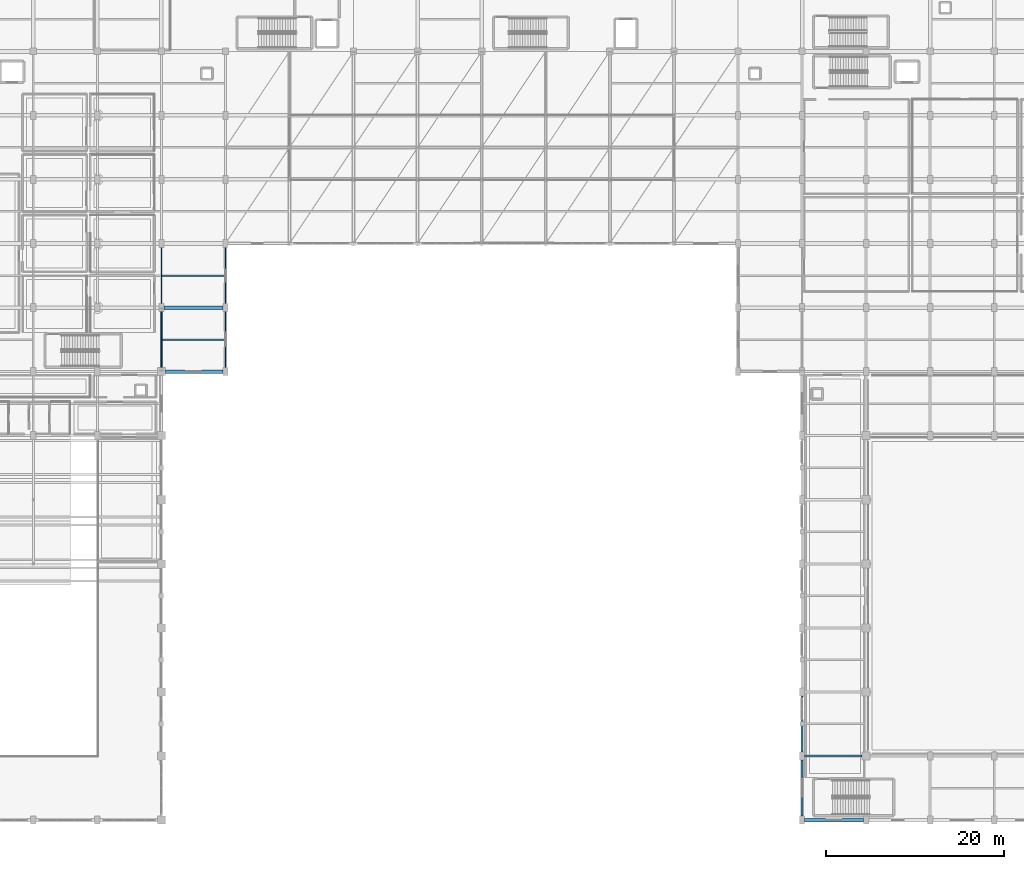
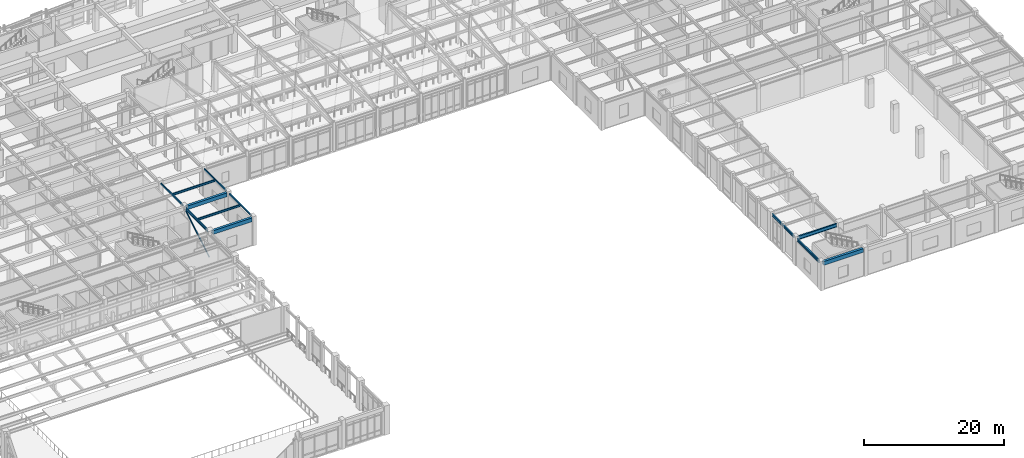
# One storey, part 20 of 117: 12 beams, 1 member.
"""IFC4 building model written with IfcOpenShell, lengths in metres."""

from ifc_helpers import new_model, si_unit, direction, frame, origin, origin_2d, place, context, subcontext, project, spatial, rectangle, hollow_rectangle, i_section, extrude, material, material_profile, profile_set, type_object, element, save


model = new_model("IFC4")

# Units and contexts
model_context = context("Model", 3, precision=1e-05, world=origin(), true_north=direction((0.0, 1.0)))
body_context = subcontext(model_context, "Body", "Model", "MODEL_VIEW")
ifc_project = project(units=[si_unit("LENGTHUNIT", "METRE"), si_unit("AREAUNIT", "SQUARE_METRE"), si_unit("VOLUMEUNIT", "CUBIC_METRE"), si_unit("PLANEANGLEUNIT", "RADIAN"), si_unit("MASSUNIT", "GRAM", prefix="KILO")], contexts=[model_context])

# Site, building, storey
site_placement = place(None, origin())
site = spatial("IfcSite", under=ifc_project, at=site_placement, CompositionType="ELEMENT")
building_placement = place(site_placement, origin())
building = spatial("IfcBuilding", under=site, at=building_placement, Name="Carrowvane Square Congress Hotel", CompositionType="ELEMENT")
storey_placement = place(building_placement, frame((0.0, 0.0, 5.39990234375)))
storey = spatial("IfcBuildingStorey", under=building, at=storey_placement, Name="L01", CompositionType="ELEMENT", Elevation=5.39990234375)

# Beams
ifc_material_1 = material(Name="Concrete C35/45", Category="concrete")
ifc_material_profile_1 = material_profile(ifc_material_1, rectangle(XDim=0.39990234375, YDim=0.64990234375, at=origin_2d()), Name="RC 400x650")
ifc_profile_set_1 = profile_set([ifc_material_profile_1], Name="Concrete C35/45")
beam_type_1 = type_object("IfcBeamType", Name="BM-RC-400x650", PredefinedType="BEAM", material=ifc_profile_set_1)
beam_1_placement = place(storey_placement, frame((62.300048828125, 63.0, 4.455078125), z_axis=(1.0, 0.0, 0.0), x_axis=(0.0, 1.0, 0.0)))
element("IfcBeam", 1, at=beam_1_placement, inside=storey, type_object=beam_type_1, Name="L02 girder J/8-9", PredefinedType="BEAM", context=body_context, shape_type="SweptSolid", body=[
    extrude(rectangle(XDim=0.39990234375, YDim=0.64990234375, at=origin_2d()), origin(), (0.0, 0.0, 1.0), 6.599853515625),
])
ifc_material_2 = material(Name="Steel S355", Category="steel")
ifc_material_profile_2 = material_profile(ifc_material_2, hollow_rectangle(XDim=0.14990234375, YDim=0.25, WallThickness=0.012451171875, at=origin_2d()), Name="RHS 250x150x12.5")
ifc_profile_set_2 = profile_set([ifc_material_profile_2], Name="Steel S355")
beam_type_2 = type_object("IfcBeamType", Name="BM-ST-RHS250", PredefinedType="SPANDREL", material=ifc_profile_set_2)
for number, where, z_axis, x_axis, name in (
    (2, (62.0, 63.449951171875, 4.655029296875), (0.0, 1.0, 0.0), (-1.0, 0.0, 0.0), "L02 girder 8/J-K"),
    (3, (69.199951171875, 56.25, 4.655029296875), (0.0, 1.0, 0.0), (-1.0, 0.0, 0.0), "L02 girder 9/H-J"),
    (4, (69.199951171875, 63.449951171875, 4.655029296875), (0.0, 1.0, 0.0), (-1.0, 0.0, 0.0), "L02 girder 9/J-K"),
):
    element("IfcBeam", number, at=place(storey_placement, frame(where, z_axis=z_axis, x_axis=x_axis)), inside=storey, type_object=beam_type_2, Name=name, PredefinedType="SPANDREL", context=body_context, shape_type="SweptSolid", body=[
        extrude(hollow_rectangle(XDim=0.14990234375, YDim=0.25, WallThickness=0.012451171875, at=origin_2d()), origin(), (0.0, 0.0, 1.0), 6.300048828125),
    ])
ifc_material_3 = material(Name="Steel S355", Category="steel")
ifc_material_profile_3 = material_profile(ifc_material_3, i_section(OverallWidth=0.172119140625, OverallDepth=0.35791015625, WebThickness=0.008056640625, FlangeThickness=0.012939453125, FilletRadius=0.01025390625, at=origin_2d()), Name="UKB 356x171x57")
ifc_profile_set_3 = profile_set([ifc_material_profile_3], Name="Steel S355")
beam_type_3 = type_object("IfcBeamType", Name="BM-ST-UKB356", PredefinedType="JOIST", material=ifc_profile_set_3)
beam_2_placement = place(storey_placement, frame((62.095703125, 59.39990234375, 4.60107421875), z_axis=(1.0, 0.0, 0.0), x_axis=(0.0, 1.0, 0.0)))
element("IfcBeam", 5, at=beam_2_placement, inside=storey, type_object=beam_type_3, Name="L02 secondary joist 8-9", PredefinedType="JOIST", context=body_context, shape_type="SweptSolid", body=[
    extrude(i_section(OverallWidth=0.172119140625, OverallDepth=0.35791015625, WebThickness=0.008056640625, FlangeThickness=0.012939453125, FilletRadius=0.01025390625, at=origin_2d()), origin(), (0.0, 0.0, 1.0), 7.029296875),
])
beam_3_placement = place(storey_placement, frame((62.074951171875, 66.60009765625, 4.60107421875), z_axis=(1.0, 0.0, 0.0), x_axis=(0.0, 1.0, 0.0)))
element("IfcBeam", 6, at=beam_3_placement, inside=storey, type_object=beam_type_3, Name="L02 secondary joist 8-9", PredefinedType="JOIST", context=body_context, shape_type="SweptSolid", body=[
    extrude(i_section(OverallWidth=0.172119140625, OverallDepth=0.35791015625, WebThickness=0.008056640625, FlangeThickness=0.012939453125, FilletRadius=0.01025390625, at=origin_2d()), origin(), (0.0, 0.0, 1.0), 7.050048828125),
])
ifc_material_4 = material(Name="Steel S355", Category="steel")
ifc_material_profile_4 = material_profile(ifc_material_4, i_section(OverallWidth=0.19140625, OverallDepth=0.4599609375, WebThickness=0.010009765625, FlangeThickness=0.01611328125, FilletRadius=0.01025390625, at=origin_2d()), Name="UKB 457x191x82")
ifc_profile_set_4 = profile_set([ifc_material_profile_4], Name="Steel S355")
beam_type_4 = type_object("IfcBeamType", Name="BM-ST-UKB457", PredefinedType="SPANDREL", material=ifc_profile_set_4)
beam_4_placement = place(storey_placement, frame((62.0, 56.25, 4.550048828125), z_axis=(0.0, 1.0, 0.0), x_axis=(-1.0, 0.0, 0.0)))
element("IfcBeam", 7, at=beam_4_placement, inside=storey, type_object=beam_type_4, Name="L02 girder 8/H-J", PredefinedType="SPANDREL", context=body_context, shape_type="SweptSolid", body=[
    extrude(i_section(OverallWidth=0.19140625, OverallDepth=0.4599609375, WebThickness=0.010009765625, FlangeThickness=0.01611328125, FilletRadius=0.01025390625, at=origin_2d()), origin(), (0.0, 0.0, 1.0), 6.300048828125),
])
beam_5_placement = place(storey_placement, frame((134.0, 5.85009765625, 4.550048828125), z_axis=(0.0, 1.0, 0.0), x_axis=(-1.0, 0.0, 0.0)))
element("IfcBeam", 8, at=beam_5_placement, inside=storey, type_object=beam_type_4, Name="L02 girder 18/A-B", PredefinedType="SPANDREL", context=body_context, shape_type="SweptSolid", body=[
    extrude(i_section(OverallWidth=0.19140625, OverallDepth=0.4599609375, WebThickness=0.010009765625, FlangeThickness=0.01611328125, FilletRadius=0.01025390625, at=origin_2d()), origin(), (0.0, 0.0, 1.0), 6.2998046875),
])
beam_6_placement = place(storey_placement, frame((134.0, 13.050048828125, 4.550048828125), z_axis=(0.0, 1.0, 0.0), x_axis=(-1.0, 0.0, 0.0)))
element("IfcBeam", 9, at=beam_6_placement, inside=storey, type_object=beam_type_4, Name="L02 girder 18/B-C", PredefinedType="SPANDREL", context=body_context, shape_type="SweptSolid", body=[
    extrude(i_section(OverallWidth=0.19140625, OverallDepth=0.4599609375, WebThickness=0.010009765625, FlangeThickness=0.01611328125, FilletRadius=0.01025390625, at=origin_2d()), origin(), (0.0, 0.0, 1.0), 6.300048828125),
])
ifc_material_5 = material(Name="Steel S355", Category="steel")
ifc_material_profile_5 = material_profile(ifc_material_5, i_section(OverallWidth=0.22900390625, OverallDepth=0.6123046875, WebThickness=0.011962890625, FlangeThickness=0.01953125, FilletRadius=0.0126953125, at=origin_2d()), Name="UKB 610x229x125")
ifc_profile_set_5 = profile_set([ifc_material_profile_5], Name="Steel S355")
beam_type_5 = type_object("IfcBeamType", Name="BM-ST-UKB610A", PredefinedType="USERDEFINED", material=ifc_profile_set_5)
beam_7_placement = place(storey_placement, frame((134.300048828125, 12.60009765625, 4.473876953125), z_axis=(1.0, 0.0, 0.0), x_axis=(0.0, 1.0, 0.0)))
element("IfcBeam", 10, at=beam_7_placement, inside=storey, type_object=beam_type_5, Name="L02 girder B/18-19", ObjectType="GIRDER", PredefinedType="USERDEFINED", context=body_context, shape_type="SweptSolid", body=[
    extrude(i_section(OverallWidth=0.22900390625, OverallDepth=0.6123046875, WebThickness=0.011962890625, FlangeThickness=0.01953125, FilletRadius=0.0126953125, at=origin_2d()), origin(), (0.0, 0.0, 1.0), 6.449951171875),
])

# Member
ifc_material_6 = material(Name="Steel S355", Category="steel")
ifc_material_profile_6 = material_profile(ifc_material_6, hollow_rectangle(XDim=0.14990234375, YDim=0.14990234375, WallThickness=0.010009765625, at=origin_2d()), Name="SHS 150x150x10")
ifc_profile_set_6 = profile_set([ifc_material_profile_6], Name="Steel S355")
member_type = type_object("IfcMemberType", Name="MEM-BR-SHS150", PredefinedType="BRACE", material=ifc_profile_set_6)
member_placement = place(storey_placement, frame((62.0, 55.919921875, 0.150146484375), z_axis=(0.0, 0.857277928215, 0.514853915005), x_axis=(-1.0, 0.0, 0.0)))
element("IfcMember", 11, at=member_placement, inside=storey, type_object=member_type, Name="L01 vertical lateral brace 5", PredefinedType="BRACE", context=body_context, shape_type="SweptSolid", body=[
    extrude(hollow_rectangle(XDim=0.14990234375, YDim=0.14990234375, WallThickness=0.010009765625, at=origin_2d()), origin(), (0.0, 0.0, 1.0), 8.11865234375),
])

# Beams
ifc_material_7 = material(Name="Concrete C35/45", Category="concrete")
ifc_material_profile_7 = material_profile(ifc_material_7, rectangle(XDim=0.39990234375, YDim=0.64990234375, at=origin_2d()), Name="RC 400x650")
ifc_profile_set_7 = profile_set([ifc_material_profile_7], Name="Concrete C35/45")
beam_type_6 = type_object("IfcBeamType", Name="SP-RC-400x650", PredefinedType="SPANDREL", material=ifc_profile_set_7)
beam_8_placement = place(storey_placement, frame((134.300048828125, 5.39990234375, 4.455078125), z_axis=(1.0, 0.0, 0.0), x_axis=(0.0, 1.0, 0.0)))
element("IfcBeam", 12, at=beam_8_placement, inside=storey, type_object=beam_type_6, Name="L02 girder A/18-19", PredefinedType="SPANDREL", context=body_context, shape_type="SweptSolid", body=[
    extrude(rectangle(XDim=0.39990234375, YDim=0.64990234375, at=origin_2d()), origin(), (0.0, 0.0, 1.0), 6.599853515625),
])
beam_9_placement = place(storey_placement, frame((62.449951171875, 55.800048828125, 4.455078125), z_axis=(1.0, 0.0, 0.0), x_axis=(0.0, 1.0, 0.0)))
element("IfcBeam", 13, at=beam_9_placement, inside=storey, type_object=beam_type_6, Name="L02 girder H/8-9", PredefinedType="SPANDREL", context=body_context, shape_type="SweptSolid", body=[
    extrude(rectangle(XDim=0.39990234375, YDim=0.64990234375, at=origin_2d()), origin(), (0.0, 0.0, 1.0), 6.449951171875),
])

save(model, "model.ifc")
